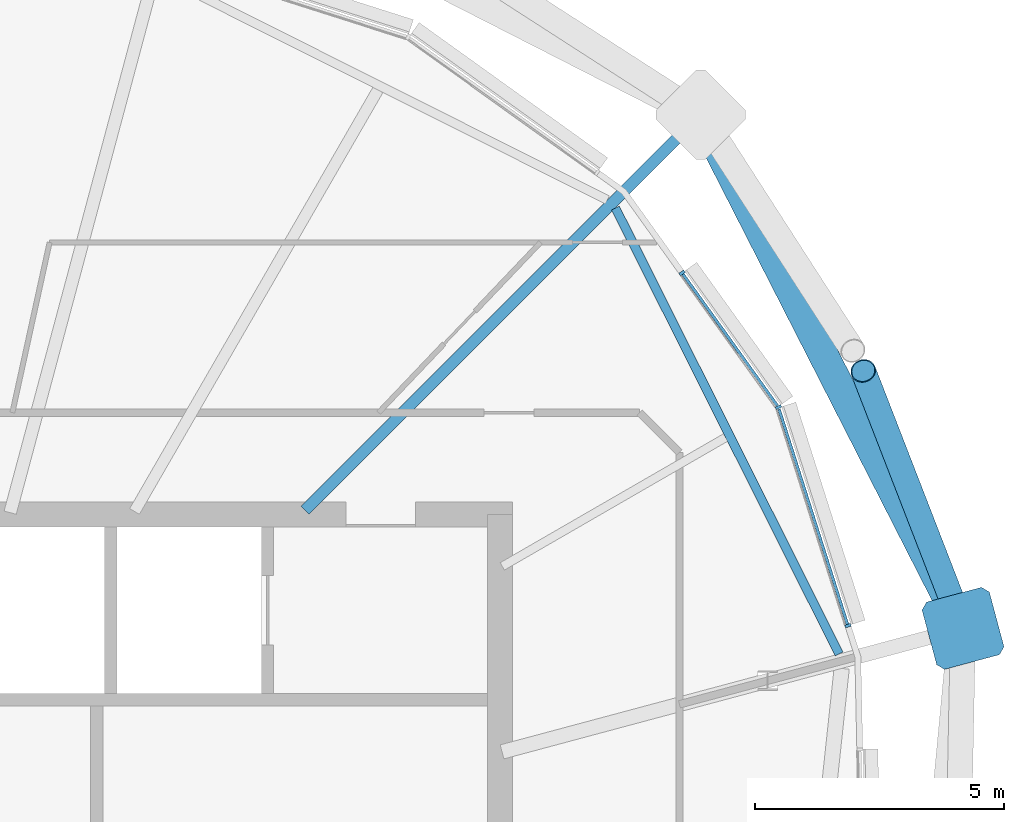
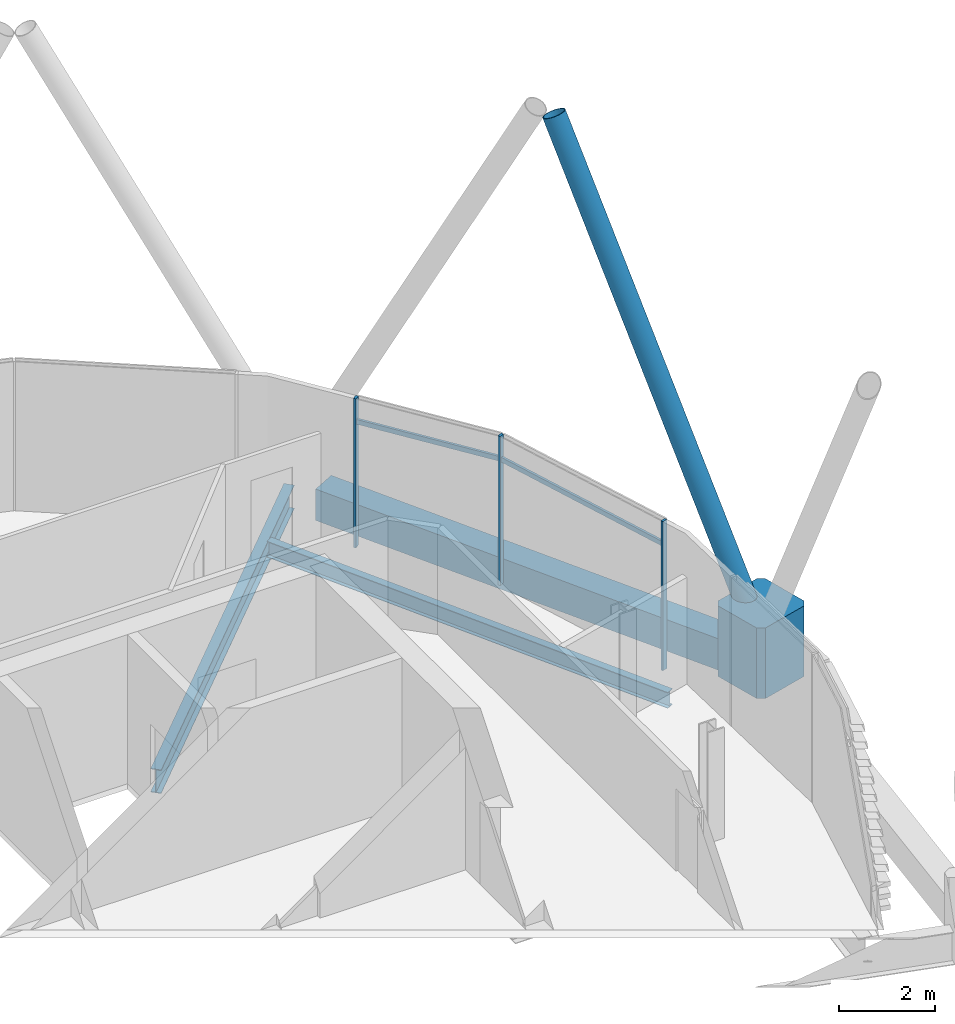
# One storey, part 15 of 32: 7 members, 3 beams, 1 element without a shape of its own.
"""IFC4 building model written with IfcOpenShell, lengths in metres."""

from ifc_helpers import new_model, si_unit, direction, frame, origin, origin_2d, place, context, subcontext, project, spatial, polyline, rectangle, hollow_rectangle, hollow_circle, i_section, outline, extrude, material, material_profile, profile_set, type_object, element, aggregate, save


model = new_model("IFC4")

# Units and contexts
model_context = context("Model", 3, precision=1e-05, world=origin(), true_north=direction((0.0, 1.0)))
body_context = subcontext(model_context, "Body", "Model", "MODEL_VIEW")
ifc_project = project(units=[si_unit("LENGTHUNIT", "METRE"), si_unit("AREAUNIT", "SQUARE_METRE"), si_unit("VOLUMEUNIT", "CUBIC_METRE"), si_unit("PLANEANGLEUNIT", "RADIAN"), si_unit("MASSUNIT", "GRAM", prefix="KILO")], contexts=[model_context])

# Site, building, storey
site_placement = place(None, origin())
site = spatial("IfcSite", under=ifc_project, at=site_placement, CompositionType="ELEMENT")
building_placement = place(site_placement, origin())
building = spatial("IfcBuilding", under=site, at=building_placement, Name="Rimbun Link Towers", CompositionType="ELEMENT")
storey_placement = place(building_placement, frame((0.0, 0.0, 233.300048828125)))
storey = spatial("IfcBuildingStorey", under=building, at=storey_placement, Name="L57", CompositionType="ELEMENT", Elevation=233.300048828125)

# Curtain wall, members
ifc_material_1 = material(Name="Aluminium 6063-T6 and low-iron glass", Category="aluminium")
curtain_wall_type = type_object("IfcCurtainWallType", Name="CW1-Z4 unitised vision wall (zone 4)", PredefinedType="NOTDEFINED", material=ifc_material_1)
curtain_wall_placement = place(storey_placement, origin())
curtain_wall = element("IfcCurtainWall", 1, at=curtain_wall_placement, inside=storey, type_object=curtain_wall_type, Name="CW1 L57 T2", PredefinedType="NOTDEFINED")
ifc_material_2 = material(Name="Aluminium 6063-T6", Category="aluminium")
ifc_material_profile_1 = material_profile(ifc_material_2, rectangle(XDim=0.1201171875, YDim=0.06005859375, at=origin_2d()), Name="MULLION 60X120")
ifc_profile_set_1 = profile_set([ifc_material_profile_1], Name="Aluminium 6063-T6")
member_type_1 = type_object("IfcMemberType", Name="CW1 mullion 60X120", PredefinedType="MULLION", material=ifc_profile_set_1)
member_1_placement = place(storey_placement, frame((49.343505859375, 10.153564453125, 0.0), z_axis=(0.0, 0.0, 1.0), x_axis=(0.893746586505, 0.448572222848, 0.0)))
member_1 = element("IfcMember", 2, at=member_1_placement, type_object=member_type_1, Name="CW1 mullion", PredefinedType="MULLION", context=body_context, shape_type="SweptSolid", body=[
    extrude(rectangle(XDim=0.1201171875, YDim=0.06005859375, at=origin_2d()), origin(), (0.0, 0.0, 1.0), 3.800048828125),
])
member_2_placement = place(storey_placement, frame((50.740478515625, 5.763427734375, 0.0), z_axis=(0.0, 0.0, 1.0), x_axis=(0.952967816288, 0.303071511559, 0.0)))
member_2 = element("IfcMember", 3, at=member_2_placement, type_object=member_type_1, Name="CW1 mullion", PredefinedType="MULLION", context=body_context, shape_type="SweptSolid", body=[
    extrude(rectangle(XDim=0.1201171875, YDim=0.06005859375, at=origin_2d()), origin(), (0.0, 0.0, 1.0), 3.800048828125),
])
member_3_placement = place(storey_placement, frame((47.407470703125, 12.852783203125, 0.0), z_axis=(0.0, 0.0, 1.0), x_axis=(0.812469826089, 0.583003243297, 0.0)))
member_3 = element("IfcMember", 4, at=member_3_placement, type_object=member_type_1, Name="CW1 mullion", PredefinedType="MULLION", context=body_context, shape_type="SweptSolid", body=[
    extrude(rectangle(XDim=0.1201171875, YDim=0.06005859375, at=origin_2d()), origin(), (0.0, 0.0, 1.0), 3.800048828125),
])
ifc_material_3 = material(Name="Aluminium 6063-T6", Category="aluminium")
ifc_material_profile_2 = material_profile(ifc_material_3, rectangle(XDim=0.06005859375, YDim=0.1201171875, at=origin_2d()), Name="TRANSOM 60X120")
ifc_profile_set_2 = profile_set([ifc_material_profile_2], Name="Aluminium 6063-T6")
member_type_2 = type_object("IfcMemberType", Name="CW1 transom 60X120", PredefinedType="USERDEFINED", material=ifc_profile_set_2)
member_4_placement = place(storey_placement, frame((49.354248046875, 10.11572265625, 3.199951171875), z_axis=(0.303074849243, -0.952966754801, 0.0), x_axis=(0.952966754801, 0.303074849243, 0.0)))
member_4 = element("IfcMember", 5, at=member_4_placement, type_object=member_type_2, Name="CW1 transom", ObjectType="TRANSOM", PredefinedType="USERDEFINED", context=body_context, shape_type="SweptSolid", body=[
    extrude(rectangle(XDim=0.06005859375, YDim=0.1201171875, at=origin_2d()), origin(), (0.0, 0.0, 1.0), 4.53759765625),
])
member_5_placement = place(storey_placement, frame((47.42333984375, 12.827392578125, 3.199951171875), z_axis=(0.583004830978, -0.812468686816, 0.0), x_axis=(0.812468686816, 0.583004830978, 0.0)))
member_5 = element("IfcMember", 6, at=member_5_placement, type_object=member_type_2, Name="CW1 transom", ObjectType="TRANSOM", PredefinedType="USERDEFINED", context=body_context, shape_type="SweptSolid", body=[
    extrude(rectangle(XDim=0.06005859375, YDim=0.1201171875, at=origin_2d()), origin(), (0.0, 0.0, 1.0), 3.25244140625),
])
aggregate(curtain_wall, [member_1, member_2, member_3, member_4, member_5])

# Members
ifc_material_4 = material(Name="Steel S355J2H", Category="steel")
ifc_material_profile_3 = material_profile(ifc_material_4, hollow_circle(Radius=0.25390625, WallThickness=0.02001953125, at=origin_2d()), Name="Diagrid diagonal CHS 508x20")
ifc_profile_set_3 = profile_set([ifc_material_profile_3], Name="Steel S355J2H")
member_type_3 = type_object("IfcMemberType", Name="Diagrid diagonal CHS 508x20", PredefinedType="BRACE", material=ifc_profile_set_3)
member_6_placement = place(storey_placement, frame((52.971923828125, 5.9189453125, 0.446044921875), z_axis=(-0.163356907785, 0.421449215912, 0.892017420842), x_axis=(-0.932407668274, -0.361408273486, 0.0)))
element("IfcMember", 7, at=member_6_placement, inside=storey, type_object=member_type_3, Name="Diagrid diagonal T2 L57-L60 22b", PredefinedType="BRACE", context=body_context, shape_type="SweptSolid", body=[
    extrude(hollow_circle(Radius=0.25390625, WallThickness=0.02001953125, at=origin_2d()), origin(), (0.0, 0.0, 1.0), 11.77978515625),
])
ifc_material_5 = material(Name="Cast steel G20Mn5+QT, Rp0.2 300 MPa", Category="steel")
ifc_material_profile_4 = material_profile(ifc_material_5, outline(polyline([(0.699951171875, -0.570068359375), (0.699951171875, 0.570068359375), (0.570068359375, 0.699951171875), (-0.570068359375, 0.699951171875), (-0.699951171875, 0.570068359375), (-0.699951171875, -0.570068359375), (-0.570068359375, -0.699951171875), (0.570068359375, -0.699951171875), (0.699951171875, -0.570068359375)])), Name="NODE 1400x1400")
ifc_profile_set_4 = profile_set([ifc_material_profile_4], Name="Cast steel G20Mn5+QT, Rp0.2 300 MPa")
member_type_4 = type_object("IfcMemberType", Name="Diagrid node cast 1400", PredefinedType="USERDEFINED", material=ifc_profile_set_4)
member_7_placement = place(storey_placement, frame((53.0537109375, 5.708251953125, -0.900146484375), z_axis=(0.0, 0.0, 1.0), x_axis=(0.965925826289, 0.258819045103, 0.0)))
element("IfcMember", 8, at=member_7_placement, inside=storey, type_object=member_type_4, Name="Diagrid node L57 22", ObjectType="Diagrid node", PredefinedType="USERDEFINED", context=body_context, shape_type="SweptSolid", body=[
    extrude(outline(polyline([(0.699951171875, -0.570068359375), (0.699951171875, 0.570068359375), (0.570068359375, 0.699951171875), (-0.570068359375, 0.699951171875), (-0.699951171875, 0.570068359375), (-0.699951171875, -0.570068359375), (-0.570068359375, -0.699951171875), (0.570068359375, -0.699951171875), (0.699951171875, -0.570068359375)])), origin(), (0.0, 0.0, 1.0), 1.800048828125),
])

# Beams
ifc_material_6 = material(Name="Steel S355J2", Category="steel")
ifc_material_profile_5 = material_profile(ifc_material_6, hollow_rectangle(XDim=0.60009765625, YDim=0.800048828125, WallThickness=0.0400390625, at=origin_2d()), Name="Exoskeleton ring girder BOX 600x800x40")
ifc_profile_set_5 = profile_set([ifc_material_profile_5], Name="Steel S355J2")
beam_type_1 = type_object("IfcBeamType", Name="Exoskeleton ring girder BOX 600x800x40", PredefinedType="BEAM", material=ifc_profile_set_5)
beam_1_placement = place(storey_placement, frame((52.7353515625, 6.331787109375, -0.56005859375), z_axis=(-0.454575838381, 0.890708036991, 0.0), x_axis=(-0.890708036991, -0.454575838381, 0.0)))
element("IfcBeam", 9, at=beam_1_placement, inside=storey, type_object=beam_type_1, Name="Exoskeleton ring girder L57 08", PredefinedType="BEAM", context=body_context, shape_type="SweptSolid", body=[
    extrude(hollow_rectangle(XDim=0.60009765625, YDim=0.800048828125, WallThickness=0.0400390625, at=origin_2d()), origin(), (0.0, 0.0, 1.0), 10.192626953125),
])
ifc_material_7 = material(Name="Steel S355J2", Category="steel")
ifc_material_profile_6 = material_profile(ifc_material_7, i_section(OverallWidth=0.177978515625, OverallDepth=0.406494140625, WebThickness=0.0078125, FlangeThickness=0.0126953125, at=origin_2d()), Name="UB 406x178x60")
ifc_profile_set_6 = profile_set([ifc_material_profile_6], Name="Steel S355J2")
beam_type_2 = type_object("IfcBeamType", Name="UB 406x178x60", PredefinedType="BEAM", material=ifc_profile_set_6)
beam_2_placement = place(storey_placement, frame((50.564208984375, 5.193603515625, -0.34326171875), z_axis=(-0.44844037741, 0.893812747676, 0.0), x_axis=(-0.893812747676, -0.44844037741, 0.0)))
element("IfcBeam", 10, at=beam_2_placement, inside=storey, type_object=beam_type_2, Name="Edge beam T2 L57 22-00", PredefinedType="BEAM", context=body_context, shape_type="SweptSolid", body=[
    extrude(i_section(OverallWidth=0.177978515625, OverallDepth=0.406494140625, WebThickness=0.0078125, FlangeThickness=0.0126953125, at=origin_2d()), origin(), (0.0, 0.0, 1.0), 10.026611328125),
])
ifc_material_8 = material(Name="Steel S355J2", Category="steel")
ifc_material_profile_7 = material_profile(ifc_material_8, i_section(OverallWidth=0.2275390625, OverallDepth=0.6025390625, WebThickness=0.010498046875, FlangeThickness=0.014892578125, at=origin_2d()), Name="UB 610x229x101")
ifc_profile_set_7 = profile_set([ifc_material_profile_7], Name="Steel S355J2")
beam_type_3 = type_object("IfcBeamType", Name="UB 610x229x101", PredefinedType="BEAM", material=ifc_profile_set_7)
beam_3_placement = place(storey_placement, frame((39.831298828125, 8.081298828125, -0.44140625), z_axis=(0.707106781187, 0.707106781187, 0.0), x_axis=(-0.707106781187, 0.707106781187, 0.0)))
element("IfcBeam", 11, at=beam_3_placement, inside=storey, type_object=beam_type_3, Name="Radial beam T2 L57 00", PredefinedType="BEAM", context=body_context, shape_type="SweptSolid", body=[
    extrude(i_section(OverallWidth=0.2275390625, OverallDepth=0.6025390625, WebThickness=0.010498046875, FlangeThickness=0.014892578125, at=origin_2d()), origin(), (0.0, 0.0, 1.0), 10.746337890625),
])

save(model, "model.ifc")
